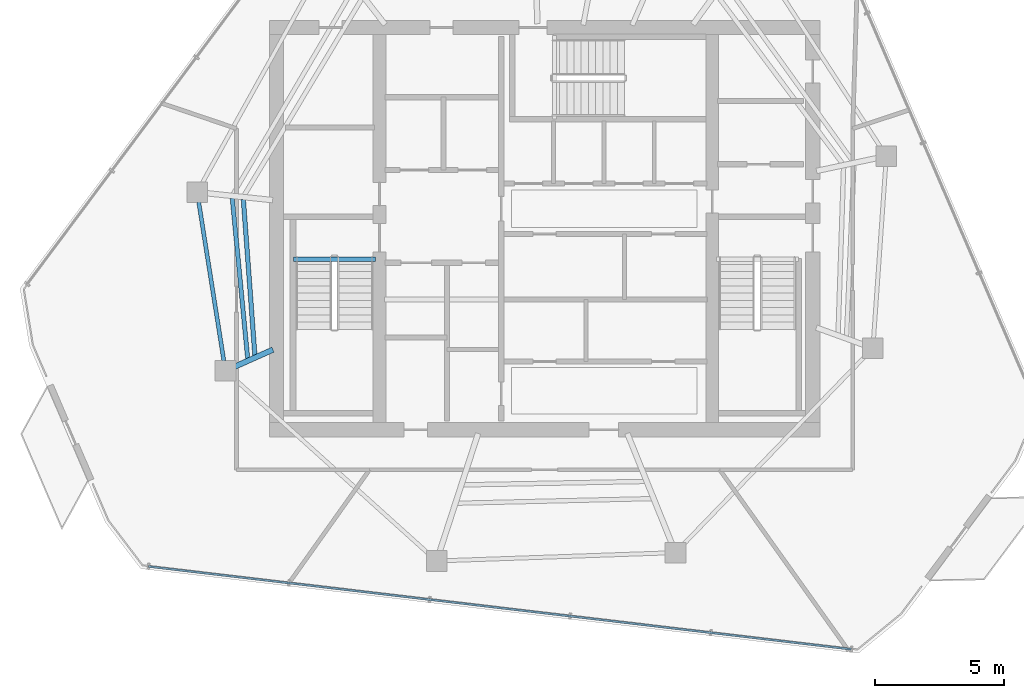
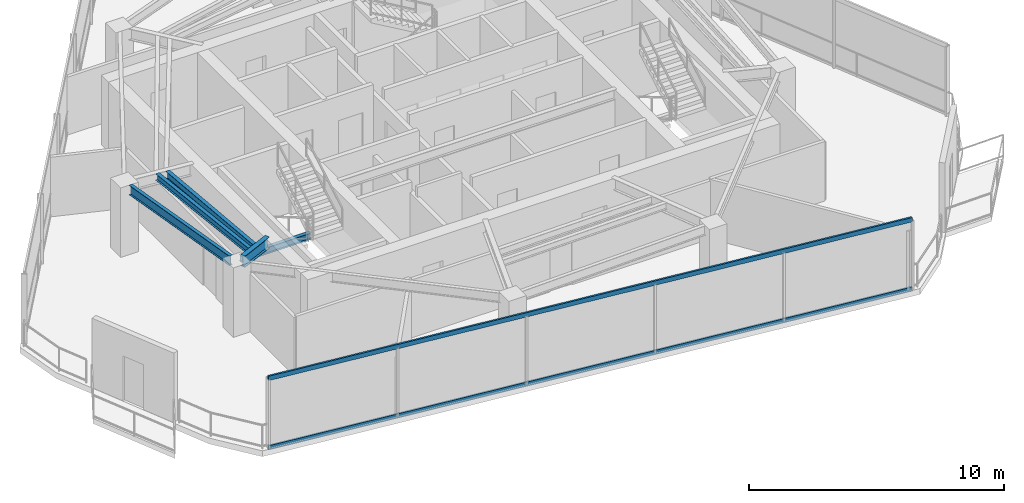
# One storey, part 3 of 18: 5 beams, 2 members, 1 element without a shape of its own.
"""IFC4 building model written with IfcOpenShell, lengths in metres."""

from ifc_helpers import new_model, si_unit, direction, frame, origin, origin_2d, place, context, subcontext, project, spatial, hollow_rectangle, i_section, extrude, material, layer, layer_set, material_profile, profile_set, type_object, element, aggregate, save


model = new_model("IFC4")

# Units and contexts
model_context = context("Model", 3, precision=1e-05, world=origin(), true_north=direction((0.0, 1.0)))
body_context = subcontext(model_context, "Body", "Model", "MODEL_VIEW")
ifc_project = project(units=[si_unit("LENGTHUNIT", "METRE"), si_unit("AREAUNIT", "SQUARE_METRE"), si_unit("VOLUMEUNIT", "CUBIC_METRE"), si_unit("PLANEANGLEUNIT", "RADIAN"), si_unit("MASSUNIT", "GRAM", prefix="KILO")], contexts=[model_context])

# Site, building, storey
site_placement = place(None, origin())
site = spatial("IfcSite", under=ifc_project, at=site_placement, CompositionType="ELEMENT")
building_placement = place(site_placement, origin())
building = spatial("IfcBuilding", under=site, at=building_placement, Name="Qarnah Convention Tower", CompositionType="ELEMENT")
storey_placement = place(building_placement, frame((0.0, 0.0, 267.89990234375)))
storey = spatial("IfcBuildingStorey", under=building, at=storey_placement, Name="L72", CompositionType="ELEMENT", Elevation=267.89990234375)

# Beams
ifc_material_1 = material(Name="Structural steel S355JR", Category="steel")
ifc_material_profile_1 = material_profile(ifc_material_1, i_section(OverallWidth=0.166015625, OverallDepth=0.31201171875, WebThickness=0.007080078125, FlangeThickness=0.010986328125, at=origin_2d()), Name="W310X45")
ifc_profile_set_1 = profile_set([ifc_material_profile_1], Name="Structural steel S355JR")
beam_type_1 = type_object("IfcBeamType", Name="BM-JST-W310", PredefinedType="JOIST", material=ifc_profile_set_1)
beam_1_placement = place(storey_placement, frame((27.4599609375, 25.217041015625, -0.156005859375), z_axis=(1.0, 0.0, 0.0), x_axis=(0.0, 1.0, 0.0)))
element("IfcBeam", 1, at=beam_1_placement, inside=storey, type_object=beam_type_1, Name="L72 stair landing trimmer beam BM-L72-ST1-TRM", PredefinedType="BEAM", context=body_context, shape_type="SweptSolid", body=[
    extrude(i_section(OverallWidth=0.166015625, OverallDepth=0.31201171875, WebThickness=0.007080078125, FlangeThickness=0.010986328125, at=origin_2d()), origin(), (0.0, 0.0, 1.0), 3.179931640625),
])
beam_2_placement = place(storey_placement, frame((25.0859375, 27.583984375, 3.1640625), z_axis=(0.095613342709, -0.995418549504, 0.0), x_axis=(0.995418549504, 0.095613342709, 0.0)))
element("IfcBeam", 2, at=beam_2_placement, inside=storey, type_object=beam_type_1, Name="L72 joist BM-L72-SJST-05", PredefinedType="JOIST", context=body_context, shape_type="SweptSolid", body=[
    extrude(i_section(OverallWidth=0.166015625, OverallDepth=0.31201171875, WebThickness=0.007080078125, FlangeThickness=0.010986328125, at=origin_2d()), origin(), (0.0, 0.0, 1.0), 6.24560546875),
])
ifc_material_profile_2 = material_profile(ifc_material_1, i_section(OverallWidth=0.172119140625, OverallDepth=0.35595703125, WebThickness=0.007080078125, FlangeThickness=0.011962890625, at=origin_2d()), Name="W360X51")
ifc_profile_set_2 = profile_set([ifc_material_profile_2], Name="Structural steel S355JR")
beam_type_2 = type_object("IfcBeamType", Name="BM-JST-W360", PredefinedType="JOIST", material=ifc_profile_set_2)
beam_3_placement = place(storey_placement, frame((25.514892578125, 27.5390625, 3.14208984375), z_axis=(0.073698218425, -0.997280588702, 0.0), x_axis=(0.997280588702, 0.073698218425, 0.0)))
element("IfcBeam", 3, at=beam_3_placement, inside=storey, type_object=beam_type_2, Name="L72 joist BM-L72-IJST-05", PredefinedType="JOIST", context=body_context, shape_type="SweptSolid", body=[
    extrude(i_section(OverallWidth=0.172119140625, OverallDepth=0.35595703125, WebThickness=0.007080078125, FlangeThickness=0.011962890625, at=origin_2d()), origin(), (0.0, 0.0, 1.0), 6.065673828125),
])
ifc_material_profile_3 = material_profile(ifc_material_1, i_section(OverallWidth=0.2119140625, OverallDepth=0.5400390625, WebThickness=0.011962890625, FlangeThickness=0.01904296875, at=origin_2d()), Name="W530X109")
ifc_profile_set_3 = profile_set([ifc_material_profile_3], Name="Structural steel S355JR")
beam_type_3 = type_object("IfcBeamType", Name="BM-RAD-W530A", PredefinedType="BEAM", material=ifc_profile_set_3)
beam_4_placement = place(storey_placement, frame((26.6630859375, 21.708984375, 3.050048828125), z_axis=(-0.913688456795, -0.406415309652, 0.0), x_axis=(0.406415309652, -0.913688456795, 0.0)))
element("IfcBeam", 4, at=beam_4_placement, inside=storey, type_object=beam_type_3, Name="L72 beam BM-L72-RAD-06", PredefinedType="BEAM", context=body_context, shape_type="SweptSolid", body=[
    extrude(i_section(OverallWidth=0.2119140625, OverallDepth=0.5400390625, WebThickness=0.011962890625, FlangeThickness=0.01904296875, at=origin_2d()), origin(), (0.0, 0.0, 1.0), 1.636474609375),
])
ifc_material_profile_4 = material_profile(ifc_material_1, i_section(OverallWidth=0.154052734375, OverallDepth=0.4599609375, WebThickness=0.009033203125, FlangeThickness=0.014892578125, at=origin_2d()), Name="W460X68")
ifc_profile_set_4 = profile_set([ifc_material_profile_4], Name="Structural steel S355JR")
beam_type_4 = type_object("IfcBeamType", Name="BM-SPN-W460B", PredefinedType="SPANDREL", material=ifc_profile_set_4)
beam_5_placement = place(storey_placement, frame((23.784912109375, 27.430908203125, 3.090087890625), z_axis=(0.156423110156, -0.987690138965, 0.0), x_axis=(0.987690138965, 0.156423110156, 0.0)))
element("IfcBeam", 5, at=beam_5_placement, inside=storey, type_object=beam_type_4, Name="L72 spandrel BM-L72-SPN-05", PredefinedType="SPANDREL", context=body_context, shape_type="SweptSolid", body=[
    extrude(i_section(OverallWidth=0.154052734375, OverallDepth=0.4599609375, WebThickness=0.009033203125, FlangeThickness=0.014892578125, at=origin_2d()), origin(), (0.0, 0.0, 1.0), 6.233642578125),
])

# Curtain wall, members
ifc_material_2 = material(Name="Tempered Low-E dark glass", Category="glass")
ifc_layer = layer(ifc_material_2, 0.176025390625)
ifc_layer_set = layer_set([ifc_layer], Name="Tempered Low-E dark glass")
curtain_wall_type = type_object("IfcCurtainWallType", Name="CWS-05", PredefinedType="NOTDEFINED", material=ifc_layer_set)
curtain_wall_placement = place(storey_placement, origin())
curtain_wall = element("IfcCurtainWall", 6, at=curtain_wall_placement, inside=storey, type_object=curtain_wall_type, Name="L72 unitised curtain wall CW-L72-F3", PredefinedType="NOTDEFINED")
ifc_material_3 = material(Name="Black anodised aluminium", Category="aluminium")
ifc_material_profile_5 = material_profile(ifc_material_3, hollow_rectangle(XDim=0.080078125, YDim=0.2099609375, WallThickness=0.0048828125, at=origin_2d()), Name="TRN-80X210")
ifc_profile_set_5 = profile_set([ifc_material_profile_5], Name="Black anodised aluminium")
member_type = type_object("IfcMemberType", Name="TRN-T5", PredefinedType="USERDEFINED", material=ifc_profile_set_5)
member_1_placement = place(storey_placement, frame((49.093017578125, 10.087890625, 0.0), z_axis=(-0.993129149558, 0.117023469004, 0.0), x_axis=(-0.117023469004, -0.993129149558, 0.0)))
member_1 = element("IfcMember", 7, at=member_1_placement, type_object=member_type, Name="CW-L72-F3 transom 1", ObjectType="TRANSOM", PredefinedType="USERDEFINED", context=body_context, shape_type="SweptSolid", body=[
    extrude(hollow_rectangle(XDim=0.080078125, YDim=0.2099609375, WallThickness=0.0048828125, at=origin_2d()), origin(), (0.0, 0.0, 1.0), 27.4404296875),
])
member_2_placement = place(storey_placement, frame((49.093017578125, 10.087890625, 3.320068359375), z_axis=(-0.993129149558, 0.117023469004, 0.0), x_axis=(-0.117023469004, -0.993129149558, 0.0)))
member_2 = element("IfcMember", 8, at=member_2_placement, type_object=member_type, Name="CW-L72-F3 transom 2", ObjectType="TRANSOM", PredefinedType="USERDEFINED", context=body_context, shape_type="SweptSolid", body=[
    extrude(hollow_rectangle(XDim=0.080078125, YDim=0.2099609375, WallThickness=0.0048828125, at=origin_2d()), origin(), (0.0, 0.0, 1.0), 27.4404296875),
])
aggregate(curtain_wall, [member_1, member_2])

save(model, "model.ifc")
